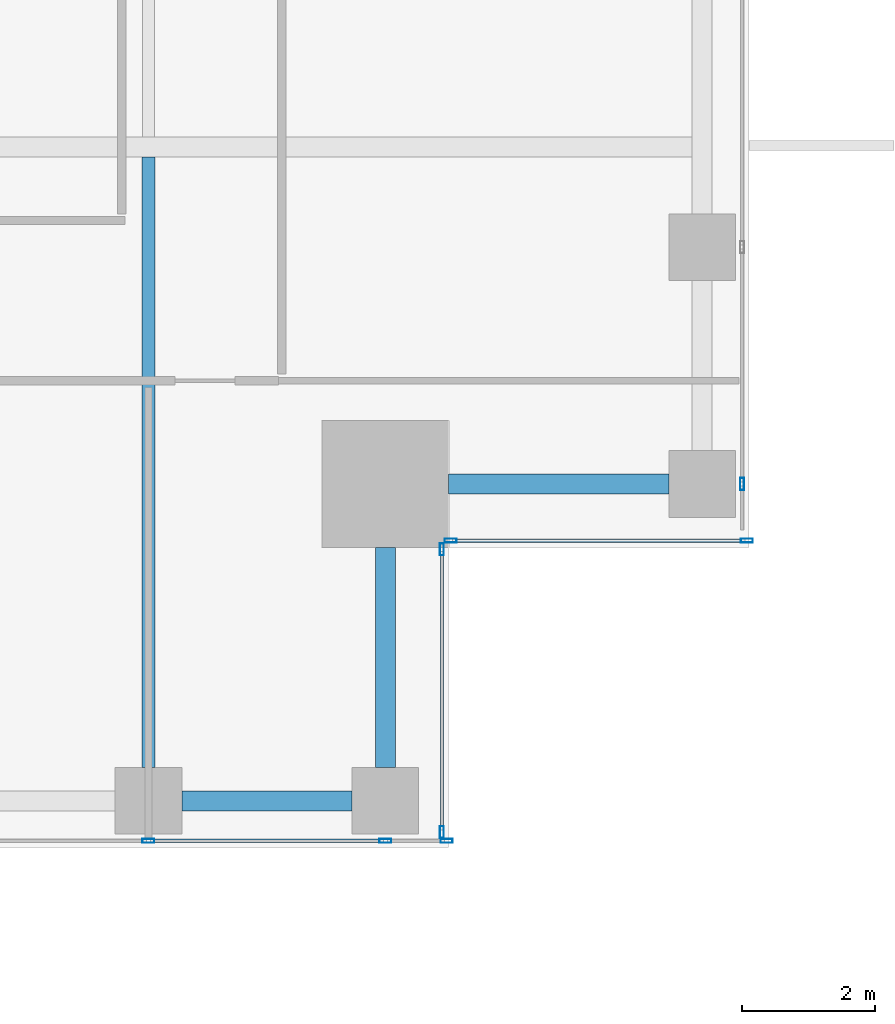
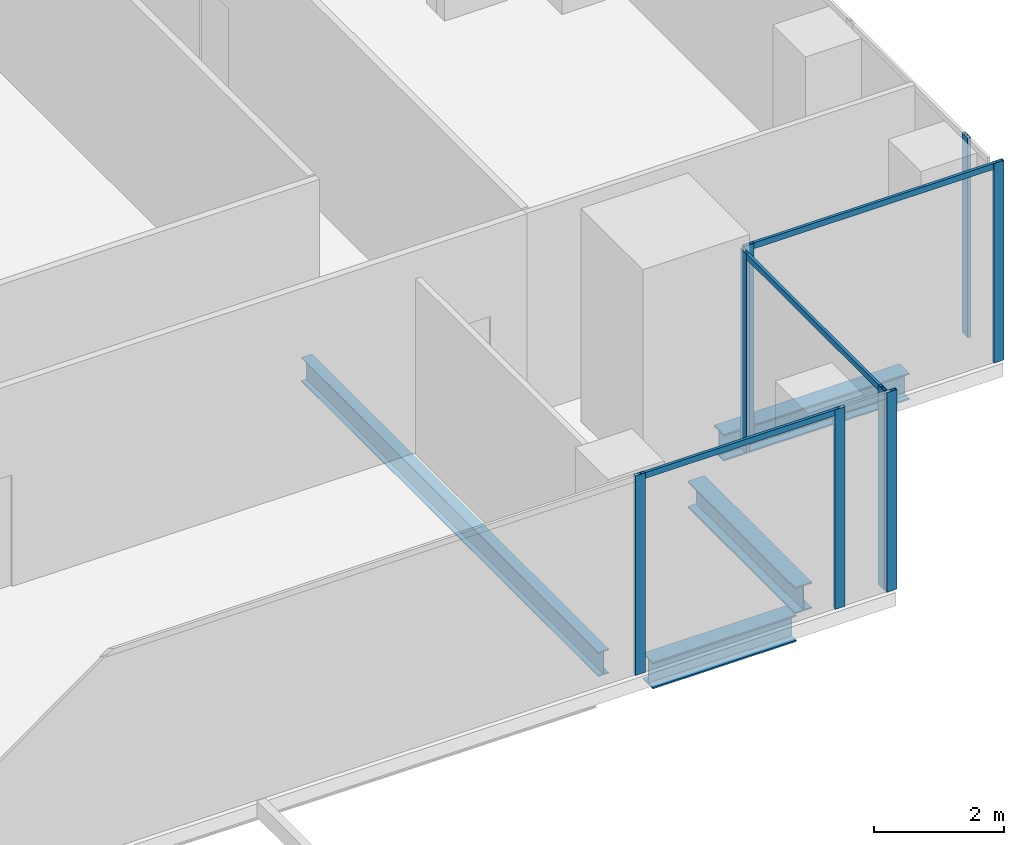
# One storey, part 10 of 40: 11 members, 4 beams, 4 elements without a shape of their own.
"""IFC4 building model written with IfcOpenShell, lengths in metres."""

from ifc_helpers import new_model, si_unit, direction, frame, origin, origin_2d, place, context, subcontext, project, spatial, hollow_rectangle, i_section, extrude, source, transform, mapped, material, material_profile, profile_set, type_object, element, aggregate, save


model = new_model("IFC4")

# Units and contexts
model_context = context("Model", 3, precision=1e-05, world=origin(), true_north=direction((0.0, 1.0)))
body_context = subcontext(model_context, "Body", "Model", "MODEL_VIEW")
ifc_project = project(units=[si_unit("LENGTHUNIT", "METRE"), si_unit("AREAUNIT", "SQUARE_METRE"), si_unit("VOLUMEUNIT", "CUBIC_METRE"), si_unit("PLANEANGLEUNIT", "RADIAN"), si_unit("MASSUNIT", "GRAM", prefix="KILO")], contexts=[model_context])

# Site, building, storey
site_placement = place(None, origin())
site = spatial("IfcSite", under=ifc_project, at=site_placement, CompositionType="ELEMENT")
building_placement = place(site_placement, origin())
building = spatial("IfcBuilding", under=site, at=building_placement, Name="Khomas Fold Tower", CompositionType="ELEMENT")
storey_placement = place(building_placement, frame((0.0, 0.0, 204.699951171875)))
storey = spatial("IfcBuildingStorey", under=building, at=storey_placement, Name="L45", CompositionType="ELEMENT", Elevation=204.699951171875)

# Beams
ifc_material_1 = material(Name="Steel S355", Category="steel")
ifc_material_profile_1 = material_profile(ifc_material_1, i_section(OverallWidth=0.300048828125, OverallDepth=0.5, WebThickness=0.014404296875, FlangeThickness=0.028076171875, at=origin_2d()), Name="HE 500 B")
ifc_profile_set_1 = profile_set([ifc_material_profile_1], Name="Steel S355")
beam_type_1 = type_object("IfcBeamType", Name="HE 500 B spandrel SB3", PredefinedType="SPANDREL", material=ifc_profile_set_1)
shared_shape_1 = source(origin(), body_context, "Body", "SweptSolid", [
    extrude(i_section(OverallWidth=0.300048828125, OverallDepth=0.5, WebThickness=0.014404296875, FlangeThickness=0.028076171875, at=origin_2d()), origin(), (0.0, 0.0, 1.0), 2.550048828125),
])
beam_1_placement = place(storey_placement, frame((42.5, 3.699951171875, -0.5), z_axis=(1.0, 0.0, 0.0), x_axis=(0.0, 1.0, 0.0)))
element("IfcBeam", 1, at=beam_1_placement, inside=storey, type_object=beam_type_1, Name="SB3", PredefinedType="SPANDREL", context=body_context, shape_type="MappedRepresentation", body=[
    mapped(shared_shape_1, transform((0.0, 0.0, 0.0))),
])
shared_shape_2 = source(origin(), body_context, "Body", "SweptSolid", [
    extrude(i_section(OverallWidth=0.300048828125, OverallDepth=0.5, WebThickness=0.014404296875, FlangeThickness=0.028076171875, at=origin_2d()), origin(), (0.0, 0.0, 1.0), 3.300048828125),
])
for number, where, z_axis, x_axis, name in (
    (2, (45.550048828125, 4.199951171875, -0.5), (0.0, 1.0, 0.0), (-1.0, 0.0, 0.0), "SB3"),
    (3, (46.5, 8.449951171875, -0.5), (1.0, 0.0, 0.0), (0.0, 1.0, 0.0), "SB3"),
):
    element("IfcBeam", number, at=place(storey_placement, frame(where, z_axis=z_axis, x_axis=x_axis)), inside=storey, type_object=beam_type_1, Name=name, PredefinedType="SPANDREL", context=body_context, shape_type="MappedRepresentation", body=[
        mapped(shared_shape_2, transform((0.0, 0.0, 0.0))),
    ])
ifc_material_2 = material(Name="Steel S355", Category="steel")
ifc_material_profile_2 = material_profile(ifc_material_2, i_section(OverallWidth=0.18994140625, OverallDepth=0.449951171875, WebThickness=0.009521484375, FlangeThickness=0.0146484375, at=origin_2d()), Name="IPE 450")
ifc_profile_set_2 = profile_set([ifc_material_profile_2], Name="Steel S355")
beam_type_2 = type_object("IfcBeamType", Name="IPE 450 beam JB4", PredefinedType="BEAM", material=ifc_profile_set_2)
shared_shape_3 = source(origin(), body_context, "Body", "SweptSolid", [
    extrude(i_section(OverallWidth=0.18994140625, OverallDepth=0.449951171875, WebThickness=0.009521484375, FlangeThickness=0.0146484375, at=origin_2d()), origin(), (0.0, 0.0, 1.0), 9.150146484375),
])
beam_2_placement = place(storey_placement, frame((42.0, 4.199951171875, -0.474853515625), z_axis=(0.0, 1.0, 0.0), x_axis=(-1.0, 0.0, 0.0)))
element("IfcBeam", 4, at=beam_2_placement, inside=storey, type_object=beam_type_2, Name="JB4", PredefinedType="BEAM", context=body_context, shape_type="MappedRepresentation", body=[
    mapped(shared_shape_3, transform((0.0, 0.0, 0.0))),
])

# Curtain wall, members
ifc_material_3 = material(Name="Aluminium framed double glazing", Category="aluminium")
curtain_wall_type = type_object("IfcCurtainWallType", Name="SK-Unitised clear-glass wall, office floors CW2", PredefinedType="NOTDEFINED", material=ifc_material_3)
curtain_wall_1_placement = place(storey_placement, origin())
curtain_wall_1 = element("IfcCurtainWall", 5, at=curtain_wall_1_placement, inside=storey, type_object=curtain_wall_type, Name="CW2 run L45 00-0", PredefinedType="NOTDEFINED")
ifc_material_4 = material(Name="Aluminium", Category="aluminium")
ifc_material_profile_3 = material_profile(ifc_material_4, hollow_rectangle(XDim=0.06005859375, YDim=0.179931640625, WallThickness=0.00390625, at=origin_2d()), Name="SK-Unitised clear-glass wall, office floors mullion CW2-M")
ifc_profile_set_3 = profile_set([ifc_material_profile_3], Name="Aluminium")
member_type_1 = type_object("IfcMemberType", Name="SK-Unitised clear-glass wall, office floors mullion CW2-M", PredefinedType="MULLION", material=ifc_profile_set_3)
shared_shape_4 = source(origin(), body_context, "Body", "SweptSolid", [
    extrude(hollow_rectangle(XDim=0.06005859375, YDim=0.179931640625, WallThickness=0.00390625, at=origin_2d()), origin(), (0.0, 0.0, 1.0), 3.75),
])
member_1_placement = place(storey_placement, frame((42.0, 3.10009765625, 0.0), z_axis=(0.0, 0.0, 1.0), x_axis=(0.0, 1.0, 0.0)))
member_1 = element("IfcMember", 6, at=member_1_placement, type_object=member_type_1, Name="CW2 mullion 5", PredefinedType="MULLION", context=body_context, shape_type="MappedRepresentation", body=[
    mapped(shared_shape_4, transform((0.0, 0.0, 0.0))),
])
member_2_placement = place(storey_placement, frame((45.550048828125, 3.10009765625, 0.0), z_axis=(0.0, 0.0, 1.0), x_axis=(0.0, 1.0, 0.0)))
member_2 = element("IfcMember", 7, at=member_2_placement, type_object=member_type_1, Name="CW2 mullion 6", PredefinedType="MULLION", context=body_context, shape_type="MappedRepresentation", body=[
    mapped(shared_shape_4, transform((0.0, 0.0, 0.0))),
])
member_3_placement = place(storey_placement, frame((46.469970703125, 3.10009765625, 0.0), z_axis=(0.0, 0.0, 1.0), x_axis=(0.0, 1.0, 0.0)))
member_3 = element("IfcMember", 8, at=member_3_placement, type_object=member_type_1, Name="CW2 mullion 7", PredefinedType="MULLION", context=body_context, shape_type="MappedRepresentation", body=[
    mapped(shared_shape_4, transform((0.0, 0.0, 0.0))),
])

curtain_wall_2_placement = place(storey_placement, origin())
curtain_wall_2 = element("IfcCurtainWall", 9, at=curtain_wall_2_placement, inside=storey, type_object=curtain_wall_type, Name="CW2 corner return L45 01", PredefinedType="NOTDEFINED")
member_4_placement = place(storey_placement, frame((46.39990234375, 3.22998046875, 0.0), z_axis=(0.0, 0.0, 1.0), x_axis=(-1.0, 0.0, 0.0)))
member_4 = element("IfcMember", 10, at=member_4_placement, type_object=member_type_1, Name="CW2 mullion 1", PredefinedType="MULLION", context=body_context, shape_type="MappedRepresentation", body=[
    mapped(shared_shape_4, transform((0.0, 0.0, 0.0))),
])
member_5_placement = place(storey_placement, frame((46.39990234375, 7.469970703125, 0.0), z_axis=(0.0, 0.0, 1.0), x_axis=(-1.0, 0.0, 0.0)))
member_5 = element("IfcMember", 11, at=member_5_placement, type_object=member_type_1, Name="CW2 mullion 2", PredefinedType="MULLION", context=body_context, shape_type="MappedRepresentation", body=[
    mapped(shared_shape_4, transform((0.0, 0.0, 0.0))),
])

curtain_wall_3_placement = place(storey_placement, origin())
curtain_wall_3 = element("IfcCurtainWall", 12, at=curtain_wall_3_placement, inside=storey, type_object=curtain_wall_type, Name="CW2 corner return L45 02", PredefinedType="NOTDEFINED")
member_6_placement = place(storey_placement, frame((46.530029296875, 7.60009765625, 0.0), z_axis=(0.0, 0.0, 1.0), x_axis=(0.0, 1.0, 0.0)))
member_6 = element("IfcMember", 13, at=member_6_placement, type_object=member_type_1, Name="CW2 mullion 1", PredefinedType="MULLION", context=body_context, shape_type="MappedRepresentation", body=[
    mapped(shared_shape_4, transform((0.0, 0.0, 0.0))),
])
member_7_placement = place(storey_placement, frame((50.969970703125, 7.60009765625, 0.0), z_axis=(0.0, 0.0, 1.0), x_axis=(0.0, 1.0, 0.0)))
member_7 = element("IfcMember", 14, at=member_7_placement, type_object=member_type_1, Name="CW2 mullion 2", PredefinedType="MULLION", context=body_context, shape_type="MappedRepresentation", body=[
    mapped(shared_shape_4, transform((0.0, 0.0, 0.0))),
])

# Curtain wall, member
curtain_wall_4_placement = place(storey_placement, origin())
curtain_wall_4 = element("IfcCurtainWall", 15, at=curtain_wall_4_placement, inside=storey, type_object=curtain_wall_type, Name="CW2 run L45 03-0", PredefinedType="NOTDEFINED")
member_8_placement = place(storey_placement, frame((50.89990234375, 8.449951171875, 0.0), z_axis=(0.0, 0.0, 1.0), x_axis=(-1.0, 0.0, 0.0)))
member_8 = element("IfcMember", 16, at=member_8_placement, type_object=member_type_1, Name="CW2 mullion 2", PredefinedType="MULLION", context=body_context, shape_type="MappedRepresentation", body=[
    mapped(shared_shape_4, transform((0.0, 0.0, 0.0))),
])
aggregate(curtain_wall_4, [member_8])

# Member
ifc_material_5 = material(Name="Aluminium", Category="aluminium")
ifc_material_profile_4 = material_profile(ifc_material_5, hollow_rectangle(XDim=0.050048828125, YDim=0.110107421875, WallThickness=0.00390625, at=origin_2d()), Name="SK-Unitised clear-glass wall, office floors transom CW2-T")
ifc_profile_set_4 = profile_set([ifc_material_profile_4], Name="Aluminium")
member_type_2 = type_object("IfcMemberType", Name="SK-Unitised clear-glass wall, office floors transom CW2-T", PredefinedType="USERDEFINED", material=ifc_profile_set_4)
shared_shape_5 = source(origin(), body_context, "Body", "SweptSolid", [
    extrude(hollow_rectangle(XDim=0.050048828125, YDim=0.110107421875, WallThickness=0.00390625, at=origin_2d()), origin(), (0.0, 0.0, 1.0), 4.3798828125),
])
member_9_placement = place(storey_placement, frame((46.56005859375, 7.60009765625, 3.695068359375), z_axis=(1.0, 0.0, 0.0), x_axis=(0.0, 1.0, 0.0)))
member_9 = element("IfcMember", 17, at=member_9_placement, type_object=member_type_2, Name="CW2 transom 1", ObjectType="TRANSOM", PredefinedType="USERDEFINED", context=body_context, shape_type="MappedRepresentation", body=[
    mapped(shared_shape_5, transform((0.0, 0.0, 0.0))),
])

aggregate(curtain_wall_3, [member_6, member_7, member_9])

shared_shape_6 = source(origin(), body_context, "Body", "SweptSolid", [
    extrude(hollow_rectangle(XDim=0.050048828125, YDim=0.110107421875, WallThickness=0.00390625, at=origin_2d()), origin(), (0.0, 0.0, 1.0), 3.489990234375),
])
member_10_placement = place(storey_placement, frame((42.030029296875, 3.10009765625, 3.695068359375), z_axis=(1.0, 0.0, 0.0), x_axis=(0.0, 1.0, 0.0)))
member_10 = element("IfcMember", 18, at=member_10_placement, type_object=member_type_2, Name="CW2 transom 5", ObjectType="TRANSOM", PredefinedType="USERDEFINED", context=body_context, shape_type="MappedRepresentation", body=[
    mapped(shared_shape_6, transform((0.0, 0.0, 0.0))),
])

aggregate(curtain_wall_1, [member_1, member_2, member_3, member_10])

shared_shape_7 = source(origin(), body_context, "Body", "SweptSolid", [
    extrude(hollow_rectangle(XDim=0.050048828125, YDim=0.110107421875, WallThickness=0.00390625, at=origin_2d()), origin(), (0.0, 0.0, 1.0), 4.179931640625),
])
member_11_placement = place(storey_placement, frame((46.39990234375, 3.260009765625, 3.695068359375), z_axis=(0.0, 1.0, 0.0), x_axis=(-1.0, 0.0, 0.0)))
member_11 = element("IfcMember", 19, at=member_11_placement, type_object=member_type_2, Name="CW2 transom 1", ObjectType="TRANSOM", PredefinedType="USERDEFINED", context=body_context, shape_type="MappedRepresentation", body=[
    mapped(shared_shape_7, transform((0.0, 0.0, 0.0))),
])

aggregate(curtain_wall_2, [member_4, member_5, member_11])

save(model, "model.ifc")
